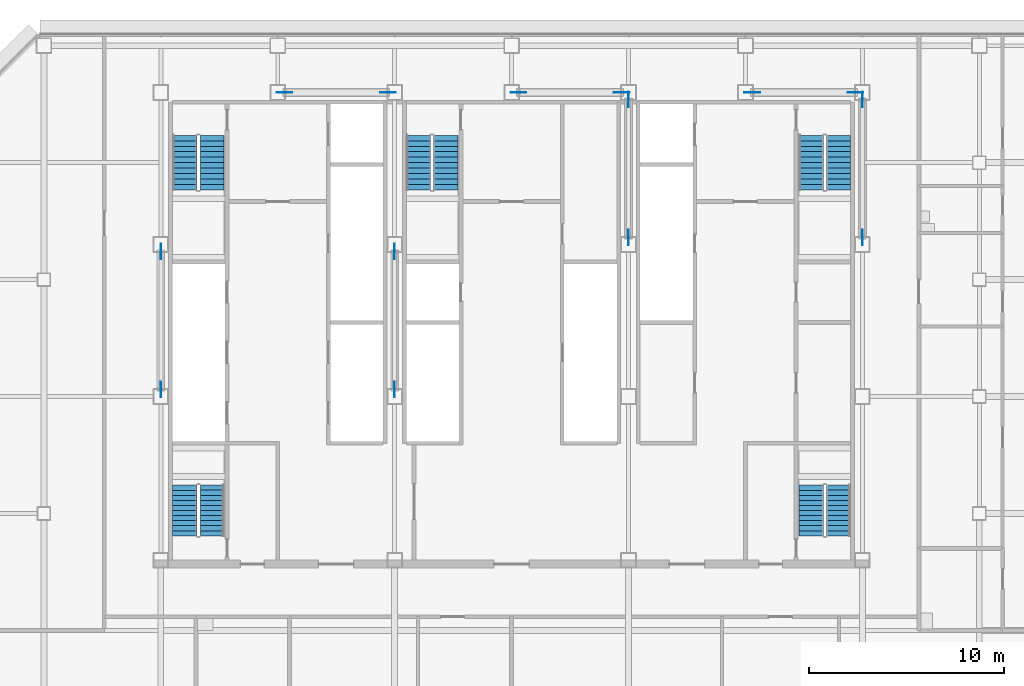
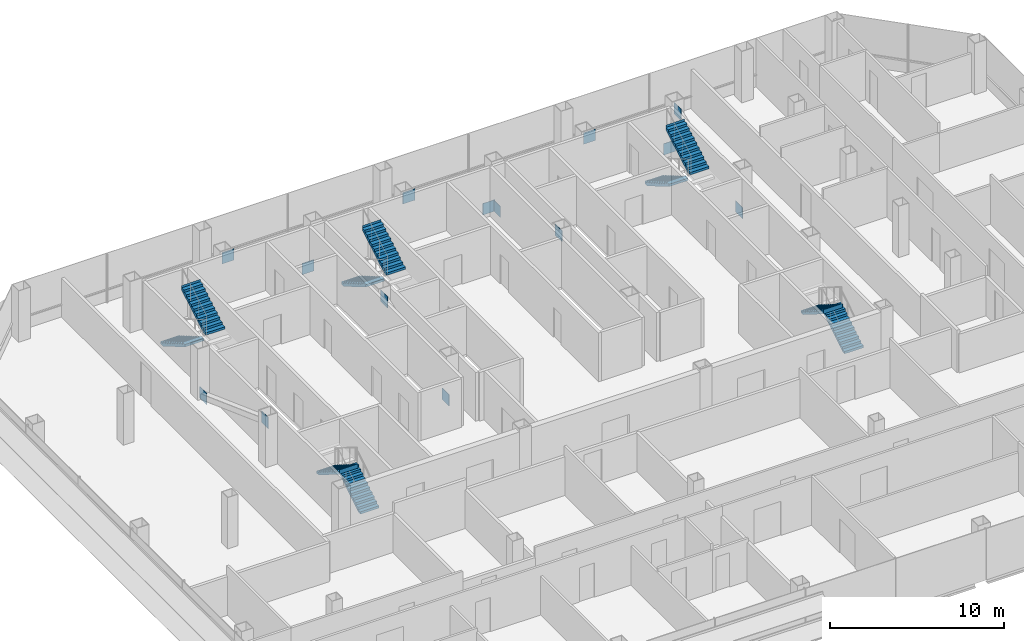
# One storey, part 23 of 25: 14 discrete accessories, 10 stair flights, 5 elements without a shape of their own.
"""IFC4 building model written with IfcOpenShell, lengths in metres."""

import ifcopenshell
import ifcopenshell.guid

model = None  # the IFC model being written
_history = None  # IfcOwnerHistory: only IFC2X3 demands one
_inside = {}  # id of a spatial element -> (the spatial element, [elements in it])
_under = {}  # id of a project, library or spatial element -> (it, [spatial elements below it])
_declared = {}  # id of a project -> (the project, [libraries it declares])
_typed = {}  # id of a type object -> (the type object, [elements of that type])
_made_of = {}  # id of a material, layer set ... -> (it, [elements and type objects made of it])


def new_model(schema):
    """Start an empty IFC model of exactly this schema.

    Asked for "IFC4X3", IfcOpenShell would pick the latest addendum, in which some entities
    have other attributes; the version numbers below select the first issue.
    IFC2X3 requires an IfcOwnerHistory on every rooted entity: one is made here for all.
    """
    global model, _history
    if schema == "IFC4X3":
        model = ifcopenshell.file(schema_version=(4, 3, 0, 0))
    else:
        model = ifcopenshell.file(schema=schema)
    _inside.clear()
    _under.clear()
    _declared.clear()
    _typed.clear()
    _made_of.clear()
    _history = None
    if model.schema == "IFC2X3":
        org = make("IfcOrganization", Name="unknown")
        user = make(
            "IfcPersonAndOrganization",
            ThePerson=make("IfcPerson", FamilyName="unknown"),
            TheOrganization=org,
        )
        app = make(
            "IfcApplication",
            ApplicationDeveloper=org,
            Version="unknown",
            ApplicationFullName="unknown",
            ApplicationIdentifier="unknown",
        )
        _history = make(
            "IfcOwnerHistory",
            OwningUser=user,
            OwningApplication=app,
            ChangeAction="ADDED",
            CreationDate=0,
        )
    return model


def make(cls, **values):
    """One entity of the class cls with the attributes given. An attribute that is None is left unset."""
    return model.create_entity(
        cls, **{name: value for name, value in values.items() if value is not None}
    )


def rooted(cls, **values):
    """An entity with a GlobalId (a new one), such as an element, a storey or a relation."""
    return make(cls, GlobalId=ifcopenshell.guid.new(), OwnerHistory=_history, **values)


def si_unit(unit_type, name, prefix=None):
    """IfcSIUnit, for example si_unit("LENGTHUNIT", "METRE", prefix="MILLI")."""
    return make("IfcSIUnit", UnitType=unit_type, Prefix=prefix, Name=name)


def assignment(units):
    """IfcUnitAssignment: the units of a project."""
    return None if units is None else make("IfcUnitAssignment", Units=units)


def point(xyz):
    """IfcCartesianPoint."""
    return None if xyz is None else make("IfcCartesianPoint", Coordinates=xyz)


def direction(xyz):
    """IfcDirection."""
    return None if xyz is None else make("IfcDirection", DirectionRatios=xyz)


def frame(location, z_axis=None, x_axis=None):
    """IfcAxis2Placement3D, a coordinate frame: its origin and axes. An axis left out is left unset."""
    return make(
        "IfcAxis2Placement3D",
        Location=point(location),
        Axis=direction(z_axis),
        RefDirection=direction(x_axis),
    )


def frame_2d(location, x_axis=None):
    """IfcAxis2Placement2D, a coordinate frame in the plane: its origin and x axis."""
    return make(
        "IfcAxis2Placement2D", Location=point(location), RefDirection=direction(x_axis)
    )


def origin():
    """The frame at (0, 0, 0) with its axes left unset."""
    return frame((0.0, 0.0, 0.0))


def origin_2d():
    """The frame at (0, 0) in the plane with its x axis left unset."""
    return frame_2d((0.0, 0.0))


def place(relative_to, where):
    """IfcLocalPlacement: puts the frame where relative to a parent placement (None: the world)."""
    return make(
        "IfcLocalPlacement", PlacementRelTo=relative_to, RelativePlacement=where
    )


def context(
    kind, dimensions, precision=None, world=None, true_north=None, identifier=None
):
    """IfcGeometricRepresentationContext, for example the 3D "Model" context."""
    return make(
        "IfcGeometricRepresentationContext",
        ContextIdentifier=identifier,
        ContextType=kind,
        CoordinateSpaceDimension=dimensions,
        Precision=precision,
        WorldCoordinateSystem=world,
        TrueNorth=true_north,
    )


def subcontext(parent, identifier, kind, view, scale=None):
    """IfcGeometricRepresentationSubContext, for example "Body" below "Model"."""
    return make(
        "IfcGeometricRepresentationSubContext",
        ContextIdentifier=identifier,
        ContextType=kind,
        ParentContext=parent,
        TargetScale=scale,
        TargetView=view,
    )


def project(units=None, contexts=None):
    """IfcProject with its units and contexts."""
    return rooted(
        "IfcProject",
        Name="project",
        RepresentationContexts=contexts,
        UnitsInContext=assignment(units),
    )


def spatial(cls, under=None, at=None, **own):
    """A site, building, storey or space (cls), placed at a placement, below another one or the project."""
    s = rooted(cls, ObjectPlacement=at, **own)
    if under is not None:
        _under.setdefault(under.id(), (under, []))[1].append(s)
    return s


def polyline(points):
    """IfcPolyline through the points."""
    return make("IfcPolyline", Points=[point(p) for p in points])


def profile(cls, at=None, kind="AREA", **sizes):
    """A parametric profile (cls). Its sizes go by their IFC names, for example OverallWidth=200.0."""
    return make(cls, ProfileType=kind, Position=at, **sizes)


def rectangle(**sizes):
    """IfcRectangleProfileDef."""
    return profile("IfcRectangleProfileDef", **sizes)


def outline(outer, holes=None, kind="AREA"):
    """IfcArbitraryClosedProfileDef: a profile drawn as a closed curve; with holes, ...WithVoids."""
    if holes is None:
        return make("IfcArbitraryClosedProfileDef", ProfileType=kind, OuterCurve=outer)
    return make(
        "IfcArbitraryProfileDefWithVoids",
        ProfileType=kind,
        OuterCurve=outer,
        InnerCurves=holes,
    )


def extrude(swept, where, along, depth):
    """IfcExtrudedAreaSolid: the profile swept, set in the frame where, extruded along a direction by depth."""
    return make(
        "IfcExtrudedAreaSolid",
        SweptArea=swept,
        Position=where,
        ExtrudedDirection=direction(along),
        Depth=depth,
    )


def shape(context_of_items, identifier, shape_type, items):
    """IfcShapeRepresentation: the items that make up one representation, for example the "Body"."""
    return make(
        "IfcShapeRepresentation",
        ContextOfItems=context_of_items,
        RepresentationIdentifier=identifier,
        RepresentationType=shape_type,
        Items=items,
    )


def material(Name=None, Category=None):
    """IfcMaterial."""
    return make("IfcMaterial", Name=Name, Category=Category)


def layer(
    of_material, thickness, ventilated=None, Name=None, Category=None, Priority=None
):
    """IfcMaterialLayer: one layer of a wall or slab, of a material (None: an air gap)."""
    return make(
        "IfcMaterialLayer",
        Material=of_material,
        LayerThickness=thickness,
        IsVentilated=ventilated,
        Name=Name,
        Category=Category,
        Priority=Priority,
    )


def layer_set(layers, Name=None):
    """IfcMaterialLayerSet."""
    return make("IfcMaterialLayerSet", MaterialLayers=layers, LayerSetName=Name)


def made_of(thing, what):
    """Note that an element or type object is made of a material, layer set ...; save() writes the relation."""
    if what is not None:
        _made_of.setdefault(what.id(), (what, []))[1].append(thing)
    return thing


def type_object(cls, material=None, **own):
    """A type object (cls), such as IfcWallType, which elements share."""
    return made_of(rooted(cls, **own), material)


def element(
    cls,
    number,
    at=None,
    inside=None,
    cuts=None,
    type_object=None,
    material=None,
    context=None,
    identifier="Body",
    shape_type=None,
    held_by="IfcProductDefinitionShape",
    body=None,
    shapes=None,
    **own,
):
    """One element of the class cls, such as IfcWall. Its Tag is "e" and its number.

    at: its placement. inside: the storey or other place that contains it. cuts: it is an
    opening in that element (IfcRelVoidsElement). A single representation is given by context,
    identifier, shape_type and body (its items); several are given by shapes. held_by: the class
    of the entity that holds the representations. save() writes the other relations.
    """
    e = rooted(cls, Tag="e%d" % number, ObjectPlacement=at, **own)
    if body is not None:
        shapes = [shape(context, identifier, shape_type, body)]
    if shapes is not None:
        e.Representation = make(held_by, Representations=shapes)
    if inside is not None:
        _inside.setdefault(inside.id(), (inside, []))[1].append(e)
    if cuts is not None:
        rooted(
            "IfcRelVoidsElement", RelatingBuildingElement=cuts, RelatedOpeningElement=e
        )
    if type_object is not None:
        _typed.setdefault(type_object.id(), (type_object, []))[1].append(e)
    return made_of(e, material)


def aggregate(whole, parts):
    """IfcRelAggregates: a whole, such as a stair, and the parts it consists of."""
    return rooted("IfcRelAggregates", RelatingObject=whole, RelatedObjects=parts)


def save(model, path):
    """Write the relations noted so far, then the file.

    IfcRelAggregates (storeys below a building ...), IfcRelContainedInSpatialStructure (elements
    in a storey), IfcRelDefinesByType, IfcRelAssociatesMaterial and IfcRelDeclares: one each for
    every whole, place, type object, material and project.
    """
    for whole, parts in _under.values():
        aggregate(whole, parts)
    for where, things in _inside.values():
        rooted(
            "IfcRelContainedInSpatialStructure",
            RelatedElements=things,
            RelatingStructure=where,
        )
    for kind, things in _typed.values():
        rooted("IfcRelDefinesByType", RelatedObjects=things, RelatingType=kind)
    for what, things in _made_of.values():
        rooted("IfcRelAssociatesMaterial", RelatedObjects=things, RelatingMaterial=what)
    for by, libraries in _declared.values():
        rooted("IfcRelDeclares", RelatingContext=by, RelatedDefinitions=libraries)
    model.write(path)


model = new_model("IFC4")

# Units and contexts
model_context = context("Model", 3, precision=1e-05, world=origin(), true_north=direction((0.0, 1.0)))
body_context = subcontext(model_context, "Body", "Model", "MODEL_VIEW")
ifc_project = project(units=[si_unit("LENGTHUNIT", "METRE"), si_unit("AREAUNIT", "SQUARE_METRE"), si_unit("VOLUMEUNIT", "CUBIC_METRE"), si_unit("PLANEANGLEUNIT", "RADIAN"), si_unit("MASSUNIT", "GRAM", prefix="KILO")], contexts=[model_context])

# Site, building, storey
site_placement = place(None, origin())
site = spatial("IfcSite", under=ifc_project, at=site_placement, CompositionType="ELEMENT")
building_placement = place(site_placement, origin())
building = spatial("IfcBuilding", under=site, at=building_placement, Name="Sorahane Residences", CompositionType="ELEMENT")
storey_placement = place(building_placement, frame((0.0, 0.0, 99.800048828125)))
storey = spatial("IfcBuildingStorey", under=building, at=storey_placement, Name="L21", CompositionType="ELEMENT", Elevation=99.800048828125)

# Stair, stair flights
ifc_material_1 = material(Name="Concrete C40", Category="concrete")
stair_type = type_object("IfcStairType", Name="Dog-leg stair 1250 Concrete C40", PredefinedType="HALF_TURN_STAIR", material=ifc_material_1)
stair_1_placement = place(storey_placement, origin())
stair_1 = element("IfcStair", 1, at=stair_1_placement, inside=storey, type_object=stair_type, Name="L21 Stair S1", PredefinedType="HALF_TURN_STAIR")
ifc_material_2 = material(Name="Concrete C40", Category="concrete")
stair_flight_type = type_object("IfcStairFlightType", Name="Stair flight 1250 Concrete C40", PredefinedType="STRAIGHT", material=ifc_material_2)
stair_flight_1_placement = place(storey_placement, frame((7.22509765625, 43.39990234375, 0.0), z_axis=(0.0, 0.0, 1.0), x_axis=(0.0, -1.0, 0.0)))
stair_flight_1 = element("IfcStairFlight", 2, at=stair_flight_1_placement, type_object=stair_flight_type, Name="S1 flight 1", NumberOfRisers=11, NumberOfTreads=10, PredefinedType="STRAIGHT", RiserHeight=0.163636364, TreadLength=0.28, context=body_context, shape_type="SweptSolid", body=[
    extrude(outline(polyline([(-0.00146484375, 0.0), (-0.00146484375, 0.16357421875), (0.0, 0.16357421875), (0.280029296875, 0.16357421875), (0.280029296875, 0.327392578125), (0.56005859375, 0.327392578125), (0.56005859375, 0.490966796875), (0.840087890625, 0.490966796875), (0.840087890625, 0.654541015625), (1.1201171875, 0.654541015625), (1.1201171875, 0.818115234375), (1.39990234375, 0.818115234375), (1.39990234375, 0.98193359375), (1.679931640625, 0.98193359375), (1.679931640625, 1.1455078125), (1.9599609375, 1.1455078125), (1.9599609375, 1.30908203125), (2.239990234375, 1.30908203125), (2.239990234375, 1.47265625), (2.52001953125, 1.47265625), (2.52001953125, 1.636474609375), (2.800048828125, 1.636474609375), (2.800048828125, 1.800048828125), (2.800048828125, 1.462646484375), (2.59130859375, 1.3408203125), (2.3828125, 1.218994140625), (2.17431640625, 1.09716796875), (1.965576171875, 0.97509765625), (1.757080078125, 0.853271484375), (1.548583984375, 0.7314453125), (1.340087890625, 0.609375), (1.13134765625, 0.487548828125), (0.9228515625, 0.36572265625), (0.71435546875, 0.243896484375), (0.505615234375, 0.121826171875), (0.297119140625, 0.0), (-0.00146484375, 0.0)])), frame((0.0, 0.625, 0.0), z_axis=(0.0, -1.0, 0.0), x_axis=(1.0, 0.0, 0.0)), (0.0, 0.0, 1.0), 1.25),
])
stair_flight_2_placement = place(storey_placement, frame((8.625, 40.60009765625, 1.800048828125), z_axis=(0.0, 0.0, 1.0), x_axis=(0.0, 1.0, 0.0)))
stair_flight_2 = element("IfcStairFlight", 3, at=stair_flight_2_placement, type_object=stair_flight_type, Name="S1 flight 2", NumberOfRisers=11, NumberOfTreads=10, PredefinedType="STRAIGHT", RiserHeight=0.163636364, TreadLength=0.28, context=body_context, shape_type="SweptSolid", body=[
    extrude(outline(polyline([(0.0, 0.0), (0.0, 0.16357421875), (0.280029296875, 0.16357421875), (0.280029296875, 0.327392578125), (0.56005859375, 0.327392578125), (0.56005859375, 0.490966796875), (0.840087890625, 0.490966796875), (0.840087890625, 0.654541015625), (1.1201171875, 0.654541015625), (1.1201171875, 0.818115234375), (1.39990234375, 0.818115234375), (1.39990234375, 0.98193359375), (1.679931640625, 0.98193359375), (1.679931640625, 1.1455078125), (1.9599609375, 1.1455078125), (1.9599609375, 1.30908203125), (2.239990234375, 1.30908203125), (2.239990234375, 1.47265625), (2.52001953125, 1.47265625), (2.52001953125, 1.636474609375), (2.800048828125, 1.636474609375), (2.800048828125, 1.800048828125), (2.801513671875, 1.800048828125), (2.801513671875, 1.462646484375), (2.5927734375, 1.3408203125), (2.384033203125, 1.218994140625), (2.17529296875, 1.09716796875), (1.966796875, 0.97509765625), (1.758056640625, 0.853271484375), (1.54931640625, 0.7314453125), (1.340576171875, 0.609375), (1.1318359375, 0.487548828125), (0.923095703125, 0.36572265625), (0.714599609375, 0.243896484375), (0.505859375, 0.121826171875), (0.297119140625, 0.0), (0.0, 0.0)])), frame((0.0, 0.625, 0.0), z_axis=(0.0, -1.0, 0.0), x_axis=(1.0, 0.0, 0.0)), (0.0, 0.0, 1.0), 1.25),
])
aggregate(stair_1, [stair_flight_1, stair_flight_2])

stair_2_placement = place(storey_placement, origin())
stair_2 = element("IfcStair", 4, at=stair_2_placement, inside=storey, type_object=stair_type, Name="L21 Stair S2", PredefinedType="HALF_TURN_STAIR")
stair_flight_3_placement = place(storey_placement, frame((39.375, 43.39990234375, 0.0), z_axis=(0.0, 0.0, 1.0), x_axis=(0.0, -1.0, 0.0)))
stair_flight_3 = element("IfcStairFlight", 5, at=stair_flight_3_placement, type_object=stair_flight_type, Name="S2 flight 1", NumberOfRisers=11, NumberOfTreads=10, PredefinedType="STRAIGHT", RiserHeight=0.163636364, TreadLength=0.28, context=body_context, shape_type="SweptSolid", body=[
    extrude(outline(polyline([(-0.00146484375, 0.0), (-0.00146484375, 0.16357421875), (0.0, 0.16357421875), (0.280029296875, 0.16357421875), (0.280029296875, 0.327392578125), (0.56005859375, 0.327392578125), (0.56005859375, 0.490966796875), (0.840087890625, 0.490966796875), (0.840087890625, 0.654541015625), (1.1201171875, 0.654541015625), (1.1201171875, 0.818115234375), (1.39990234375, 0.818115234375), (1.39990234375, 0.98193359375), (1.679931640625, 0.98193359375), (1.679931640625, 1.1455078125), (1.9599609375, 1.1455078125), (1.9599609375, 1.30908203125), (2.239990234375, 1.30908203125), (2.239990234375, 1.47265625), (2.52001953125, 1.47265625), (2.52001953125, 1.636474609375), (2.800048828125, 1.636474609375), (2.800048828125, 1.800048828125), (2.800048828125, 1.462646484375), (2.59130859375, 1.3408203125), (2.3828125, 1.218994140625), (2.17431640625, 1.09716796875), (1.965576171875, 0.97509765625), (1.757080078125, 0.853271484375), (1.548583984375, 0.7314453125), (1.340087890625, 0.609375), (1.13134765625, 0.487548828125), (0.9228515625, 0.36572265625), (0.71435546875, 0.243896484375), (0.505615234375, 0.121826171875), (0.297119140625, 0.0), (-0.00146484375, 0.0)])), frame((0.0, 0.625, 0.0), z_axis=(0.0, -1.0, 0.0), x_axis=(1.0, 0.0, 0.0)), (0.0, 0.0, 1.0), 1.25),
])
stair_flight_4_placement = place(storey_placement, frame((40.77490234375, 40.60009765625, 1.800048828125), z_axis=(0.0, 0.0, 1.0), x_axis=(0.0, 1.0, 0.0)))
stair_flight_4 = element("IfcStairFlight", 6, at=stair_flight_4_placement, type_object=stair_flight_type, Name="S2 flight 2", NumberOfRisers=11, NumberOfTreads=10, PredefinedType="STRAIGHT", RiserHeight=0.163636364, TreadLength=0.28, context=body_context, shape_type="SweptSolid", body=[
    extrude(outline(polyline([(0.0, 0.0), (0.0, 0.16357421875), (0.280029296875, 0.16357421875), (0.280029296875, 0.327392578125), (0.56005859375, 0.327392578125), (0.56005859375, 0.490966796875), (0.840087890625, 0.490966796875), (0.840087890625, 0.654541015625), (1.1201171875, 0.654541015625), (1.1201171875, 0.818115234375), (1.39990234375, 0.818115234375), (1.39990234375, 0.98193359375), (1.679931640625, 0.98193359375), (1.679931640625, 1.1455078125), (1.9599609375, 1.1455078125), (1.9599609375, 1.30908203125), (2.239990234375, 1.30908203125), (2.239990234375, 1.47265625), (2.52001953125, 1.47265625), (2.52001953125, 1.636474609375), (2.800048828125, 1.636474609375), (2.800048828125, 1.800048828125), (2.801513671875, 1.800048828125), (2.801513671875, 1.462646484375), (2.5927734375, 1.3408203125), (2.384033203125, 1.218994140625), (2.17529296875, 1.09716796875), (1.966796875, 0.97509765625), (1.758056640625, 0.853271484375), (1.54931640625, 0.7314453125), (1.340576171875, 0.609375), (1.1318359375, 0.487548828125), (0.923095703125, 0.36572265625), (0.714599609375, 0.243896484375), (0.505859375, 0.121826171875), (0.297119140625, 0.0), (0.0, 0.0)])), frame((0.0, 0.625, 0.0), z_axis=(0.0, -1.0, 0.0), x_axis=(1.0, 0.0, 0.0)), (0.0, 0.0, 1.0), 1.25),
])
aggregate(stair_2, [stair_flight_3, stair_flight_4])

stair_3_placement = place(storey_placement, origin())
stair_3 = element("IfcStair", 7, at=stair_3_placement, inside=storey, type_object=stair_type, Name="L21 Stair S3", PredefinedType="HALF_TURN_STAIR")
stair_flight_5_placement = place(storey_placement, frame((19.22509765625, 43.39990234375, 0.0), z_axis=(0.0, 0.0, 1.0), x_axis=(0.0, -1.0, 0.0)))
stair_flight_5 = element("IfcStairFlight", 8, at=stair_flight_5_placement, type_object=stair_flight_type, Name="S3 flight 1", NumberOfRisers=11, NumberOfTreads=10, PredefinedType="STRAIGHT", RiserHeight=0.163636364, TreadLength=0.28, context=body_context, shape_type="SweptSolid", body=[
    extrude(outline(polyline([(-0.00146484375, 0.0), (-0.00146484375, 0.16357421875), (0.0, 0.16357421875), (0.280029296875, 0.16357421875), (0.280029296875, 0.327392578125), (0.56005859375, 0.327392578125), (0.56005859375, 0.490966796875), (0.840087890625, 0.490966796875), (0.840087890625, 0.654541015625), (1.1201171875, 0.654541015625), (1.1201171875, 0.818115234375), (1.39990234375, 0.818115234375), (1.39990234375, 0.98193359375), (1.679931640625, 0.98193359375), (1.679931640625, 1.1455078125), (1.9599609375, 1.1455078125), (1.9599609375, 1.30908203125), (2.239990234375, 1.30908203125), (2.239990234375, 1.47265625), (2.52001953125, 1.47265625), (2.52001953125, 1.636474609375), (2.800048828125, 1.636474609375), (2.800048828125, 1.800048828125), (2.800048828125, 1.462646484375), (2.59130859375, 1.3408203125), (2.3828125, 1.218994140625), (2.17431640625, 1.09716796875), (1.965576171875, 0.97509765625), (1.757080078125, 0.853271484375), (1.548583984375, 0.7314453125), (1.340087890625, 0.609375), (1.13134765625, 0.487548828125), (0.9228515625, 0.36572265625), (0.71435546875, 0.243896484375), (0.505615234375, 0.121826171875), (0.297119140625, 0.0), (-0.00146484375, 0.0)])), frame((0.0, 0.625, 0.0), z_axis=(0.0, -1.0, 0.0), x_axis=(1.0, 0.0, 0.0)), (0.0, 0.0, 1.0), 1.25),
])
stair_flight_6_placement = place(storey_placement, frame((20.625, 40.60009765625, 1.800048828125), z_axis=(0.0, 0.0, 1.0), x_axis=(0.0, 1.0, 0.0)))
stair_flight_6 = element("IfcStairFlight", 9, at=stair_flight_6_placement, type_object=stair_flight_type, Name="S3 flight 2", NumberOfRisers=11, NumberOfTreads=10, PredefinedType="STRAIGHT", RiserHeight=0.163636364, TreadLength=0.28, context=body_context, shape_type="SweptSolid", body=[
    extrude(outline(polyline([(0.0, 0.0), (0.0, 0.16357421875), (0.280029296875, 0.16357421875), (0.280029296875, 0.327392578125), (0.56005859375, 0.327392578125), (0.56005859375, 0.490966796875), (0.840087890625, 0.490966796875), (0.840087890625, 0.654541015625), (1.1201171875, 0.654541015625), (1.1201171875, 0.818115234375), (1.39990234375, 0.818115234375), (1.39990234375, 0.98193359375), (1.679931640625, 0.98193359375), (1.679931640625, 1.1455078125), (1.9599609375, 1.1455078125), (1.9599609375, 1.30908203125), (2.239990234375, 1.30908203125), (2.239990234375, 1.47265625), (2.52001953125, 1.47265625), (2.52001953125, 1.636474609375), (2.800048828125, 1.636474609375), (2.800048828125, 1.800048828125), (2.801513671875, 1.800048828125), (2.801513671875, 1.462646484375), (2.5927734375, 1.3408203125), (2.384033203125, 1.218994140625), (2.17529296875, 1.09716796875), (1.966796875, 0.97509765625), (1.758056640625, 0.853271484375), (1.54931640625, 0.7314453125), (1.340576171875, 0.609375), (1.1318359375, 0.487548828125), (0.923095703125, 0.36572265625), (0.714599609375, 0.243896484375), (0.505859375, 0.121826171875), (0.297119140625, 0.0), (0.0, 0.0)])), frame((0.0, 0.625, 0.0), z_axis=(0.0, -1.0, 0.0), x_axis=(1.0, 0.0, 0.0)), (0.0, 0.0, 1.0), 1.25),
])
aggregate(stair_3, [stair_flight_5, stair_flight_6])

stair_4_placement = place(storey_placement, origin())
stair_4 = element("IfcStair", 10, at=stair_4_placement, inside=storey, type_object=stair_type, Name="L21 Stair S4", PredefinedType="HALF_TURN_STAIR")
stair_flight_7_placement = place(storey_placement, frame((8.625, 22.85009765625, 0.0), z_axis=(0.0, 0.0, 1.0), x_axis=(0.0, 1.0, 0.0)))
stair_flight_7 = element("IfcStairFlight", 11, at=stair_flight_7_placement, type_object=stair_flight_type, Name="S4 flight 1", NumberOfRisers=11, NumberOfTreads=10, PredefinedType="STRAIGHT", RiserHeight=0.163636364, TreadLength=0.26, context=body_context, shape_type="SweptSolid", body=[
    extrude(outline(polyline([(-0.00146484375, 0.0), (-0.00146484375, 0.16357421875), (0.0, 0.16357421875), (0.260009765625, 0.16357421875), (0.260009765625, 0.327392578125), (0.52001953125, 0.327392578125), (0.52001953125, 0.490966796875), (0.780029296875, 0.490966796875), (0.780029296875, 0.654541015625), (1.0400390625, 0.654541015625), (1.0400390625, 0.818115234375), (1.300048828125, 0.818115234375), (1.300048828125, 0.98193359375), (1.56005859375, 0.98193359375), (1.56005859375, 1.1455078125), (1.820068359375, 1.1455078125), (1.820068359375, 1.30908203125), (2.080078125, 1.30908203125), (2.080078125, 1.47265625), (2.340087890625, 1.47265625), (2.340087890625, 1.636474609375), (2.60009765625, 1.636474609375), (2.60009765625, 1.800048828125), (2.60009765625, 1.494384765625), (2.402099609375, 1.369873046875), (2.204345703125, 1.245361328125), (2.00634765625, 1.120849609375), (1.80859375, 0.996337890625), (1.610595703125, 0.871826171875), (1.412841796875, 0.747314453125), (1.21484375, 0.622802734375), (1.01708984375, 0.498046875), (0.819091796875, 0.37353515625), (0.621337890625, 0.2490234375), (0.42333984375, 0.12451171875), (0.2255859375, 0.0), (-0.00146484375, 0.0)])), frame((0.0, 0.625, 0.0), z_axis=(0.0, -1.0, 0.0), x_axis=(1.0, 0.0, 0.0)), (0.0, 0.0, 1.0), 1.25),
])
stair_flight_8_placement = place(storey_placement, frame((7.22509765625, 25.449951171875, 1.800048828125), z_axis=(0.0, 0.0, 1.0), x_axis=(0.0, -1.0, 0.0)))
stair_flight_8 = element("IfcStairFlight", 12, at=stair_flight_8_placement, type_object=stair_flight_type, Name="S4 flight 2", NumberOfRisers=11, NumberOfTreads=10, PredefinedType="STRAIGHT", RiserHeight=0.163636364, TreadLength=0.26, context=body_context, shape_type="SweptSolid", body=[
    extrude(outline(polyline([(0.0, 0.0), (0.0, 0.16357421875), (0.260009765625, 0.16357421875), (0.260009765625, 0.327392578125), (0.52001953125, 0.327392578125), (0.52001953125, 0.490966796875), (0.780029296875, 0.490966796875), (0.780029296875, 0.654541015625), (1.0400390625, 0.654541015625), (1.0400390625, 0.818115234375), (1.300048828125, 0.818115234375), (1.300048828125, 0.98193359375), (1.56005859375, 0.98193359375), (1.56005859375, 1.1455078125), (1.820068359375, 1.1455078125), (1.820068359375, 1.30908203125), (2.080078125, 1.30908203125), (2.080078125, 1.47265625), (2.340087890625, 1.47265625), (2.340087890625, 1.636474609375), (2.60009765625, 1.636474609375), (2.60009765625, 1.800048828125), (2.6015625, 1.800048828125), (2.6015625, 1.494384765625), (2.403564453125, 1.369873046875), (2.20556640625, 1.245361328125), (2.007568359375, 1.120849609375), (1.8095703125, 0.996337890625), (1.611572265625, 0.871826171875), (1.41357421875, 0.747314453125), (1.215576171875, 0.622802734375), (1.017578125, 0.498046875), (0.819580078125, 0.37353515625), (0.62158203125, 0.2490234375), (0.423583984375, 0.12451171875), (0.2255859375, 0.0), (0.0, 0.0)])), frame((0.0, 0.625, 0.0), z_axis=(0.0, -1.0, 0.0), x_axis=(1.0, 0.0, 0.0)), (0.0, 0.0, 1.0), 1.25),
])
aggregate(stair_4, [stair_flight_7, stair_flight_8])

stair_5_placement = place(storey_placement, origin())
stair_5 = element("IfcStair", 13, at=stair_5_placement, inside=storey, type_object=stair_type, Name="L21 Stair S5", PredefinedType="HALF_TURN_STAIR")
stair_flight_9_placement = place(storey_placement, frame((40.77490234375, 22.85009765625, 0.0), z_axis=(0.0, 0.0, 1.0), x_axis=(0.0, 1.0, 0.0)))
stair_flight_9 = element("IfcStairFlight", 14, at=stair_flight_9_placement, type_object=stair_flight_type, Name="S5 flight 1", NumberOfRisers=11, NumberOfTreads=10, PredefinedType="STRAIGHT", RiserHeight=0.163636364, TreadLength=0.26, context=body_context, shape_type="SweptSolid", body=[
    extrude(outline(polyline([(-0.00146484375, 0.0), (-0.00146484375, 0.16357421875), (0.0, 0.16357421875), (0.260009765625, 0.16357421875), (0.260009765625, 0.327392578125), (0.52001953125, 0.327392578125), (0.52001953125, 0.490966796875), (0.780029296875, 0.490966796875), (0.780029296875, 0.654541015625), (1.0400390625, 0.654541015625), (1.0400390625, 0.818115234375), (1.300048828125, 0.818115234375), (1.300048828125, 0.98193359375), (1.56005859375, 0.98193359375), (1.56005859375, 1.1455078125), (1.820068359375, 1.1455078125), (1.820068359375, 1.30908203125), (2.080078125, 1.30908203125), (2.080078125, 1.47265625), (2.340087890625, 1.47265625), (2.340087890625, 1.636474609375), (2.60009765625, 1.636474609375), (2.60009765625, 1.800048828125), (2.60009765625, 1.494384765625), (2.402099609375, 1.369873046875), (2.204345703125, 1.245361328125), (2.00634765625, 1.120849609375), (1.80859375, 0.996337890625), (1.610595703125, 0.871826171875), (1.412841796875, 0.747314453125), (1.21484375, 0.622802734375), (1.01708984375, 0.498046875), (0.819091796875, 0.37353515625), (0.621337890625, 0.2490234375), (0.42333984375, 0.12451171875), (0.2255859375, 0.0), (-0.00146484375, 0.0)])), frame((0.0, 0.625, 0.0), z_axis=(0.0, -1.0, 0.0), x_axis=(1.0, 0.0, 0.0)), (0.0, 0.0, 1.0), 1.25),
])
stair_flight_10_placement = place(storey_placement, frame((39.375, 25.449951171875, 1.800048828125), z_axis=(0.0, 0.0, 1.0), x_axis=(0.0, -1.0, 0.0)))
stair_flight_10 = element("IfcStairFlight", 15, at=stair_flight_10_placement, type_object=stair_flight_type, Name="S5 flight 2", NumberOfRisers=11, NumberOfTreads=10, PredefinedType="STRAIGHT", RiserHeight=0.163636364, TreadLength=0.26, context=body_context, shape_type="SweptSolid", body=[
    extrude(outline(polyline([(0.0, 0.0), (0.0, 0.16357421875), (0.260009765625, 0.16357421875), (0.260009765625, 0.327392578125), (0.52001953125, 0.327392578125), (0.52001953125, 0.490966796875), (0.780029296875, 0.490966796875), (0.780029296875, 0.654541015625), (1.0400390625, 0.654541015625), (1.0400390625, 0.818115234375), (1.300048828125, 0.818115234375), (1.300048828125, 0.98193359375), (1.56005859375, 0.98193359375), (1.56005859375, 1.1455078125), (1.820068359375, 1.1455078125), (1.820068359375, 1.30908203125), (2.080078125, 1.30908203125), (2.080078125, 1.47265625), (2.340087890625, 1.47265625), (2.340087890625, 1.636474609375), (2.60009765625, 1.636474609375), (2.60009765625, 1.800048828125), (2.6015625, 1.800048828125), (2.6015625, 1.494384765625), (2.403564453125, 1.369873046875), (2.20556640625, 1.245361328125), (2.007568359375, 1.120849609375), (1.8095703125, 0.996337890625), (1.611572265625, 0.871826171875), (1.41357421875, 0.747314453125), (1.215576171875, 0.622802734375), (1.017578125, 0.498046875), (0.819580078125, 0.37353515625), (0.62158203125, 0.2490234375), (0.423583984375, 0.12451171875), (0.2255859375, 0.0), (0.0, 0.0)])), frame((0.0, 0.625, 0.0), z_axis=(0.0, -1.0, 0.0), x_axis=(1.0, 0.0, 0.0)), (0.0, 0.0, 1.0), 1.25),
])
aggregate(stair_5, [stair_flight_9, stair_flight_10])

# Discrete accessories
ifc_material_3 = material(Name="Steel Q355B", Category="steel")
ifc_layer = layer(ifc_material_3, 0.02490234375)
ifc_layer_set = layer_set([ifc_layer], Name="Node plate Steel Q355B 25")
discrete_accessory_type = type_object("IfcDiscreteAccessoryType", Name="Node plate Steel Q355B 25", PredefinedType="BRACKET", material=ifc_layer_set)
for number, where, z_axis, x_axis, name in (
    (16, (6.0, 37.44140625, -0.21533203125), (0.0, 0.0, 1.0), (0.0, 1.0, 0.0), "Node plate L21 br"),
    (17, (6.0, 30.358642578125, 2.38525390625), (0.0, 0.0, 1.0), (0.0, 1.0, 0.0), "Node plate L21 br"),
    (18, (18.0, 30.358642578125, -0.21533203125), (0.0, 0.0, 1.0), (0.0, 1.0, 0.0), "Node plate L21 br"),
    (19, (18.0, 37.44140625, 2.38525390625), (0.0, 0.0, 1.0), (0.0, 1.0, 0.0), "Node plate L21 br"),
    (20, (30.0, 45.241455078125, -0.21533203125), (0.0, 0.0, 1.0), (0.0, 1.0, 0.0), "Node plate L21 br"),
    (21, (30.0, 38.15869140625, 2.38525390625), (0.0, 0.0, 1.0), (0.0, 1.0, 0.0), "Node plate L21 br"),
    (22, (42.0, 38.15869140625, -0.21533203125), (0.0, 0.0, 1.0), (0.0, 1.0, 0.0), "Node plate L21 br"),
    (23, (42.0, 45.241455078125, 2.38525390625), (0.0, 0.0, 1.0), (0.0, 1.0, 0.0), "Node plate L21 br"),
    (24, (17.6533203125, 45.60009765625, -0.2265625), (0.0, 0.0, 1.0), (1.0, 0.0, 0.0), "Node plate L21 br"),
    (25, (29.6533203125, 45.60009765625, -0.2265625), (0.0, 0.0, 1.0), (1.0, 0.0, 0.0), "Node plate L21 br"),
    (26, (41.6533203125, 45.60009765625, -0.2265625), (0.0, 0.0, 1.0), (1.0, 0.0, 0.0), "Node plate L21 br"),
    (27, (12.3466796875, 45.60009765625, 2.39599609375), (0.0, 0.0, 1.0), (1.0, 0.0, 0.0), "Node plate L21 br"),
    (28, (24.3466796875, 45.60009765625, 2.39599609375), (0.0, 0.0, 1.0), (1.0, 0.0, 0.0), "Node plate L21 br"),
    (29, (36.3466796875, 45.60009765625, 2.39599609375), (0.0, 0.0, 1.0), (1.0, 0.0, 0.0), "Node plate L21 br"),
):
    element("IfcDiscreteAccessory", number, at=place(storey_placement, frame(where, z_axis=z_axis, x_axis=x_axis)), inside=storey, type_object=discrete_accessory_type, Name=name, PredefinedType="BRACKET", context=body_context, shape_type="SweptSolid", body=[
        extrude(rectangle(XDim=0.800048828125, YDim=0.02490234375, at=origin_2d()), origin(), (0.0, 0.0, 1.0), 0.800048828125),
    ])

save(model, "model.ifc")
